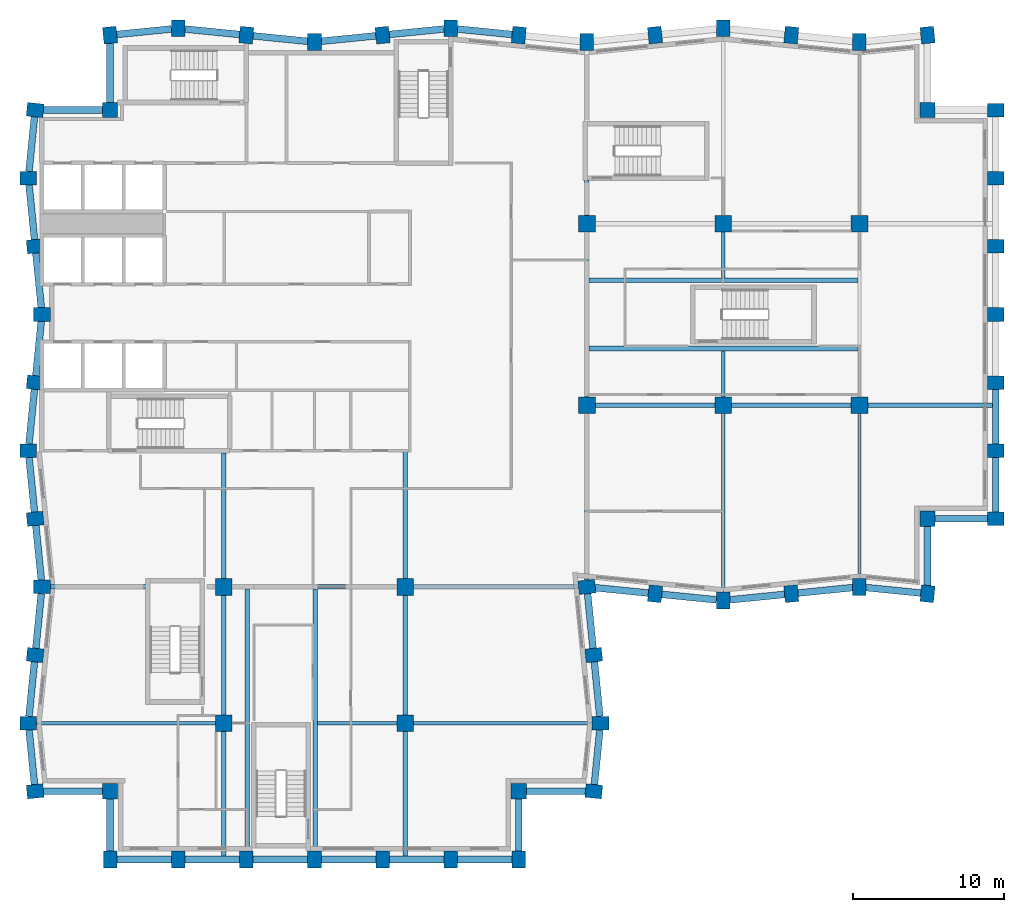
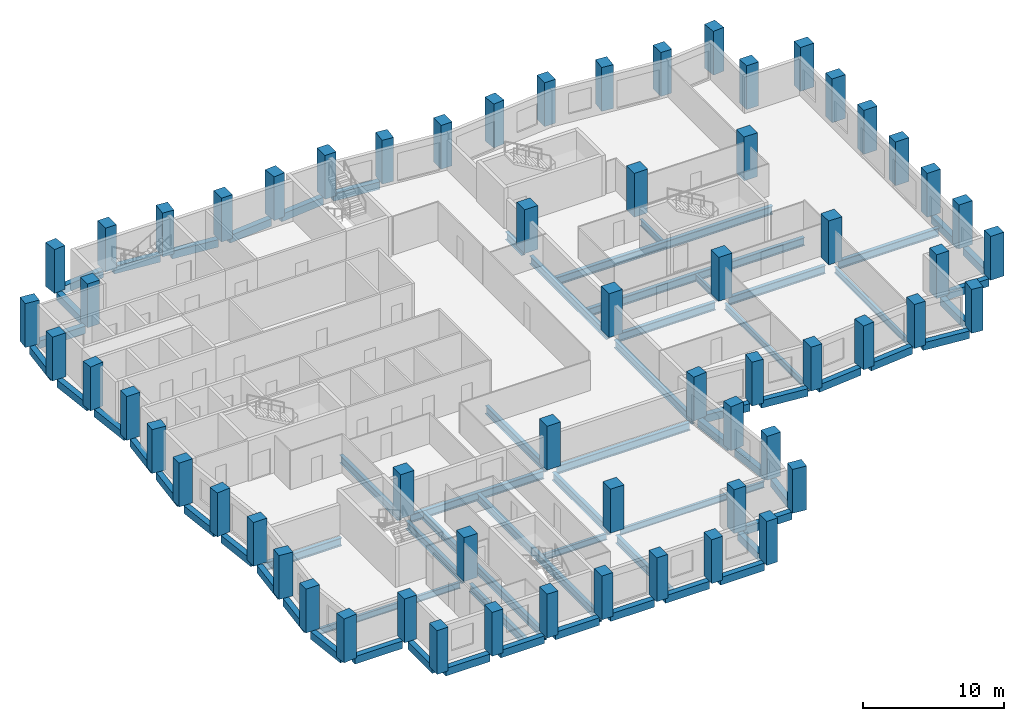
# One storey, part 1 of 10: 66 beams, 62 columns.
"""IFC4 building model written with IfcOpenShell, lengths in metres."""

from ifc_helpers import new_model, si_unit, direction, frame, origin, origin_2d, place, context, subcontext, project, spatial, rectangle, i_section, extrude, material, material_profile, profile_set, type_object, element, save


model = new_model("IFC4")

# Units and contexts
model_context = context("Model", 3, precision=1e-05, world=origin(), true_north=direction((0.0, 1.0)))
body_context = subcontext(model_context, "Body", "Model", "MODEL_VIEW")
ifc_project = project(units=[si_unit("LENGTHUNIT", "METRE"), si_unit("AREAUNIT", "SQUARE_METRE"), si_unit("VOLUMEUNIT", "CUBIC_METRE"), si_unit("PLANEANGLEUNIT", "RADIAN"), si_unit("MASSUNIT", "GRAM", prefix="KILO")], contexts=[model_context])

# Site, building, storey
site_placement = place(None, origin())
site = spatial("IfcSite", under=ifc_project, at=site_placement, CompositionType="ELEMENT")
building_placement = place(site_placement, origin())
building = spatial("IfcBuilding", under=site, at=building_placement, Name="Brondeck Convention Tower", CompositionType="ELEMENT")
storey_placement = place(building_placement, frame((0.0, 0.0, 185.199951171875)))
storey = spatial("IfcBuildingStorey", under=building, at=storey_placement, Name="L45", CompositionType="ELEMENT", Elevation=185.199951171875)

# Columns
ifc_material_1 = material(Name="Concrete C70/85", Category="concrete")
ifc_material_profile_1 = material_profile(ifc_material_1, rectangle(XDim=1.0, YDim=1.0, at=origin_2d()), Name="Corner column 1000x1000 Concrete C70/85")
ifc_profile_set_1 = profile_set([ifc_material_profile_1], Name="Concrete C70/85")
column_type_1 = type_object("IfcColumnType", Name="Corner column 1000x1000 Concrete C70/85", PredefinedType="COLUMN", material=ifc_profile_set_1)
for number, where, z_axis, x_axis, name in (
    (1, (4.5, 13.5, 0.0), (0.0, 0.0, 1.0), (1.0, 0.0, 0.0), "STR-COL-L45-NC-SWB9"),
    (2, (31.5, 13.5, 0.0), (0.0, 0.0, 1.0), (1.0, 0.0, 0.0), "STR-COL-L45-NC-SEB9"),
    (3, (58.5, 31.5, 0.0), (0.0, 0.0, 1.0), (1.0, 0.0, 0.0), "STR-COL-L45-NC-SEA63"),
    (4, (58.5, 58.5, 0.0), (0.0, 0.0, 1.0), (1.0, 0.0, 0.0), "STR-COL-L45-NC-NEA63"),
    (5, (4.5, 58.5, 0.0), (0.0, 0.0, 1.0), (1.0, 0.0, 0.0), "STR-COL-L45-NC-NW"),
):
    element("IfcColumn", number, at=place(storey_placement, frame(where, z_axis=z_axis, x_axis=x_axis)), inside=storey, type_object=column_type_1, Name=name, PredefinedType="COLUMN", context=body_context, shape_type="SweptSolid", body=[
        extrude(rectangle(XDim=1.0, YDim=1.0, at=origin_2d()), origin(), (0.0, 0.0, 1.0), 3.800048828125),
    ])
ifc_material_profile_2 = material_profile(ifc_material_1, rectangle(XDim=1.10009765625, YDim=1.10009765625, at=origin_2d()), Name="Interior column 1100x1100 Concrete C70/85")
ifc_profile_set_2 = profile_set([ifc_material_profile_2], Name="Concrete C70/85")
column_type_2 = type_object("IfcColumnType", Name="Interior column 1100x1100 Concrete C70/85", PredefinedType="COLUMN", material=ifc_profile_set_2)
for number, where, z_axis, x_axis, name in (
    (6, (12.0, 18.0, 0.0), (0.0, 0.0, 1.0), (1.0, 0.0, 0.0), "STR-COL-L45-IC-02"),
    (7, (12.0, 27.0, 0.0), (0.0, 0.0, 1.0), (1.0, 0.0, 0.0), "STR-COL-L45-IC-03"),
    (8, (24.0, 18.0, 0.0), (0.0, 0.0, 1.0), (1.0, 0.0, 0.0), "STR-COL-L45-IC-05"),
    (9, (24.0, 27.0, 0.0), (0.0, 0.0, 1.0), (1.0, 0.0, 0.0), "STR-COL-L45-IC-06"),
    (10, (36.0, 39.0, 0.0), (0.0, 0.0, 1.0), (1.0, 0.0, 0.0), "STR-COL-L45-IC-07"),
    (11, (36.0, 51.0, 0.0), (0.0, 0.0, 1.0), (1.0, 0.0, 0.0), "STR-COL-L45-IC-08"),
    (12, (45.0, 39.0, 0.0), (0.0, 0.0, 1.0), (1.0, 0.0, 0.0), "STR-COL-L45-IC-09"),
    (13, (45.0, 51.0, 0.0), (0.0, 0.0, 1.0), (1.0, 0.0, 0.0), "STR-COL-L45-IC-10"),
    (14, (54.0, 39.0, 0.0), (0.0, 0.0, 1.0), (1.0, 0.0, 0.0), "STR-COL-L45-IC-11"),
    (15, (54.0, 51.0, 0.0), (0.0, 0.0, 1.0), (1.0, 0.0, 0.0), "STR-COL-L45-IC-12"),
):
    element("IfcColumn", number, at=place(storey_placement, frame(where, z_axis=z_axis, x_axis=x_axis)), inside=storey, type_object=column_type_2, Name=name, PredefinedType="COLUMN", context=body_context, shape_type="SweptSolid", body=[
        extrude(rectangle(XDim=1.10009765625, YDim=1.10009765625, at=origin_2d()), origin(), (0.0, 0.0, 1.0), 3.800048828125),
    ])
ifc_material_profile_3 = material_profile(ifc_material_1, rectangle(XDim=0.89990234375, YDim=1.10009765625, at=origin_2d()), Name="Perimeter pier 900x1100 Concrete C70/85")
ifc_profile_set_3 = profile_set([ifc_material_profile_3], Name="Concrete C70/85")
column_type_3 = type_object("IfcColumnType", Name="Perimeter pier 900x1100 Concrete C70/85", PredefinedType="COLUMN", material=ifc_profile_set_3)
for number, where, z_axis, x_axis, name in (
    (16, (4.5, 9.0, 0.0), (0.0, 0.0, 1.0), (1.0, 0.0, 0.0), "STR-COL-L45-PC-B-S9-01"),
    (17, (9.0, 9.0, 0.0), (0.0, 0.0, 1.0), (1.0, 0.0, 0.0), "STR-COL-L45-PC-B-S9-02"),
    (18, (13.5, 9.0, 0.0), (0.0, 0.0, 1.0), (1.0, 0.0, 0.0), "STR-COL-L45-PC-B-S9-03"),
    (19, (18.0, 9.0, 0.0), (0.0, 0.0, 1.0), (1.0, 0.0, 0.0), "STR-COL-L45-PC-B-S9-04"),
    (20, (22.5, 9.0, 0.0), (0.0, 0.0, 1.0), (1.0, 0.0, 0.0), "STR-COL-L45-PC-B-S9-05"),
    (21, (27.0, 9.0, 0.0), (0.0, 0.0, 1.0), (1.0, 0.0, 0.0), "STR-COL-L45-PC-B-S9-06"),
    (22, (31.5, 9.0, 0.0), (0.0, 0.0, 1.0), (1.0, 0.0, 0.0), "STR-COL-L45-PC-B-S9-07"),
    (23, (36.449951171875, 13.5, 0.0), (0.0, 0.0, 1.0), (0.0995038382, 0.995037178292, 0.0), "STR-COL-L45-PC-B-E-03"),
    (24, (36.89990234375, 18.0, 0.0), (0.0, 0.0, 1.0), (0.0, 1.0, 0.0), "STR-COL-L45-PC-B-E-02"),
    (25, (36.449951171875, 22.5, 0.0), (0.0, 0.0, 1.0), (-0.0995038382, 0.995037178292, 0.0), "STR-COL-L45-PC-B-E-01"),
    (26, (36.0, 27.0, 0.0), (0.0, 0.0, 1.0), (-0.0995038382, 0.995037178292, 0.0), "STR-COL-L45-PC-B-E-00"),
    (27, (40.5, 26.550048828125, 0.0), (0.0, 0.0, 1.0), (0.995037178292, -0.0995038382, 0.0), "STR-COL-L45-PC-A-S-01"),
    (28, (45.0, 26.10009765625, 0.0), (0.0, 0.0, 1.0), (1.0, 0.0, 0.0), "STR-COL-L45-PC-A-S-02"),
    (29, (49.5, 26.550048828125, 0.0), (0.0, 0.0, 1.0), (0.995037178292, 0.0995038382, 0.0), "STR-COL-L45-PC-A-S-03"),
    (30, (54.0, 27.0, 0.0), (0.0, 0.0, 1.0), (1.0, 0.0, 0.0), "STR-COL-L45-PC-A-S-04"),
    (31, (58.5, 26.550048828125, 0.0), (0.0, 0.0, 1.0), (0.995037178292, -0.0995038382, 0.0), "STR-COL-L45-PC-A-S-05"),
    (32, (63.0, 31.5, 0.0), (0.0, 0.0, 1.0), (0.0, 1.0, 0.0), "STR-COL-L45-PC-A-E63-01"),
    (33, (63.0, 36.0, 0.0), (0.0, 0.0, 1.0), (0.0, 1.0, 0.0), "STR-COL-L45-PC-A-E63-02"),
    (34, (63.0, 40.5, 0.0), (0.0, 0.0, 1.0), (0.0, 1.0, 0.0), "STR-COL-L45-PC-A-E63-03"),
    (35, (63.0, 45.0, 0.0), (0.0, 0.0, 1.0), (0.0, 1.0, 0.0), "STR-COL-L45-PC-A-E63-04"),
    (36, (63.0, 49.5, 0.0), (0.0, 0.0, 1.0), (0.0, 1.0, 0.0), "STR-COL-L45-PC-A-E63-05"),
    (37, (63.0, 54.0, 0.0), (0.0, 0.0, 1.0), (0.0, 1.0, 0.0), "STR-COL-L45-PC-A-E63-06"),
    (38, (63.0, 58.5, 0.0), (0.0, 0.0, 1.0), (0.0, 1.0, 0.0), "STR-COL-L45-PC-A-E63-07"),
    (39, (58.5, 63.449951171875, 0.0), (0.0, 0.0, 1.0), (-0.995037178292, -0.0995038382, 0.0), "STR-COL-L45-PC-A-N-13"),
    (40, (54.0, 63.0, 0.0), (0.0, 0.0, 1.0), (-1.0, 0.0, 0.0), "STR-COL-L45-PC-A-N-12"),
    (41, (49.5, 63.449951171875, 0.0), (0.0, 0.0, 1.0), (-0.995037178292, 0.0995038382, 0.0), "STR-COL-L45-PC-A-N-11"),
    (42, (45.0, 63.89990234375, 0.0), (0.0, 0.0, 1.0), (-1.0, 0.0, 0.0), "STR-COL-L45-PC-A-N-10"),
    (43, (40.5, 63.449951171875, 0.0), (0.0, 0.0, 1.0), (-0.995037178292, -0.0995038382, 0.0), "STR-COL-L45-PC-A-N-09"),
    (44, (36.0, 63.0, 0.0), (0.0, 0.0, 1.0), (-1.0, 0.0, 0.0), "STR-COL-L45-PC-A-N-08"),
    (45, (31.5, 63.449951171875, 0.0), (0.0, 0.0, 1.0), (-0.995037178292, 0.0995038382, 0.0), "STR-COL-L45-PC-A-N-07"),
    (46, (27.0, 63.89990234375, 0.0), (0.0, 0.0, 1.0), (-1.0, 0.0, 0.0), "STR-COL-L45-PC-A-N-06"),
    (47, (22.5, 63.449951171875, 0.0), (0.0, 0.0, 1.0), (-0.995037178292, -0.0995038382, 0.0), "STR-COL-L45-PC-A-N-05"),
    (48, (18.0, 63.0, 0.0), (0.0, 0.0, 1.0), (-1.0, 0.0, 0.0), "STR-COL-L45-PC-A-N-04"),
    (49, (13.5, 63.449951171875, 0.0), (0.0, 0.0, 1.0), (-0.995037178292, 0.0995038382, 0.0), "STR-COL-L45-PC-A-N-03"),
    (50, (9.0, 63.89990234375, 0.0), (0.0, 0.0, 1.0), (-1.0, 0.0, 0.0), "STR-COL-L45-PC-A-N-02"),
    (51, (4.5, 63.449951171875, 0.0), (0.0, 0.0, 1.0), (-0.995037178292, -0.0995038382, 0.0), "STR-COL-L45-PC-A-N-01"),
    (52, (-0.449951171875, 58.5, 0.0), (0.0, 0.0, 1.0), (-0.0995038382, -0.995037178292, 0.0), "STR-COL-L45-PC-B-W-01"),
    (53, (-0.89990234375, 54.0, 0.0), (0.0, 0.0, 1.0), (0.0, -1.0, 0.0), "STR-COL-L45-PC-B-W-02"),
    (54, (-0.449951171875, 49.5, 0.0), (0.0, 0.0, 1.0), (0.0995038382, -0.995037178292, 0.0), "STR-COL-L45-PC-B-W-03"),
    (55, (0.0, 45.0, 0.0), (0.0, 0.0, 1.0), (0.0, -1.0, 0.0), "STR-COL-L45-PC-B-W-04"),
    (56, (-0.449951171875, 40.5, 0.0), (0.0, 0.0, 1.0), (-0.0995038382, -0.995037178292, 0.0), "STR-COL-L45-PC-B-W-05"),
    (57, (-0.89990234375, 36.0, 0.0), (0.0, 0.0, 1.0), (0.0, -1.0, 0.0), "STR-COL-L45-PC-B-W-06"),
    (58, (-0.449951171875, 31.5, 0.0), (0.0, 0.0, 1.0), (0.0995038382, -0.995037178292, 0.0), "STR-COL-L45-PC-B-W-07"),
    (59, (0.0, 27.0, 0.0), (0.0, 0.0, 1.0), (0.0, -1.0, 0.0), "STR-COL-L45-PC-B-W-08"),
    (60, (-0.449951171875, 22.5, 0.0), (0.0, 0.0, 1.0), (-0.0995038382, -0.995037178292, 0.0), "STR-COL-L45-PC-B-W-09"),
    (61, (-0.89990234375, 18.0, 0.0), (0.0, 0.0, 1.0), (0.0, -1.0, 0.0), "STR-COL-L45-PC-B-W-10"),
    (62, (-0.449951171875, 13.5, 0.0), (0.0, 0.0, 1.0), (0.0995038382, -0.995037178292, 0.0), "STR-COL-L45-PC-B-W-11"),
):
    element("IfcColumn", number, at=place(storey_placement, frame(where, z_axis=z_axis, x_axis=x_axis)), inside=storey, type_object=column_type_3, Name=name, PredefinedType="COLUMN", context=body_context, shape_type="SweptSolid", body=[
        extrude(rectangle(XDim=0.89990234375, YDim=1.10009765625, at=origin_2d()), origin(), (0.0, 0.0, 1.0), 3.800048828125),
    ])

# Beams
ifc_material_2 = material(Name="Steel S355", Category="steel")
ifc_material_profile_4 = material_profile(ifc_material_2, i_section(OverallWidth=0.2099609375, OverallDepth=0.550048828125, WebThickness=0.010986328125, FlangeThickness=0.01708984375, FilletRadius=0.02392578125, at=origin_2d()), Name="IPE 550")
ifc_profile_set_4 = profile_set([ifc_material_profile_4], Name="Steel S355")
beam_type_1 = type_object("IfcBeamType", Name="Floor beam IPE 550", PredefinedType="BEAM", material=ifc_profile_set_4)
beam_1_placement = place(storey_placement, frame((45.0, 26.64990234375, -0.574951171875), z_axis=(0.0, 1.0, 0.0), x_axis=(-1.0, 0.0, 0.0)))
element("IfcBeam", 63, at=beam_1_placement, inside=storey, type_object=beam_type_1, Name="STR-FB-L45-001", PredefinedType="BEAM", context=body_context, shape_type="SweptSolid", body=[
    extrude(i_section(OverallWidth=0.2099609375, OverallDepth=0.550048828125, WebThickness=0.010986328125, FlangeThickness=0.01708984375, FilletRadius=0.02392578125, at=origin_2d()), origin(), (0.0, 0.0, 1.0), 11.800048828125),
])
beam_2_placement = place(storey_placement, frame((54.0, 27.550048828125, -0.574951171875), z_axis=(0.0, 1.0, 0.0), x_axis=(-1.0, 0.0, 0.0)))
element("IfcBeam", 64, at=beam_2_placement, inside=storey, type_object=beam_type_1, Name="STR-FB-L45-003", PredefinedType="BEAM", context=body_context, shape_type="SweptSolid", body=[
    extrude(i_section(OverallWidth=0.2099609375, OverallDepth=0.550048828125, WebThickness=0.010986328125, FlangeThickness=0.01708984375, FilletRadius=0.02392578125, at=origin_2d()), origin(), (0.0, 0.0, 1.0), 10.89990234375),
])
for number, where, z_axis, x_axis, name in (
    (65, (-0.35009765625, 18.0, -0.574951171875), (1.0, 0.0, 0.0), (0.0, 1.0, 0.0), "STR-FB-L45-006"),
    (66, (24.550048828125, 18.0, -0.574951171875), (1.0, 0.0, 0.0), (0.0, 1.0, 0.0), "STR-FB-L45-007"),
):
    element("IfcBeam", number, at=place(storey_placement, frame(where, z_axis=z_axis, x_axis=x_axis)), inside=storey, type_object=beam_type_1, Name=name, PredefinedType="BEAM", context=body_context, shape_type="SweptSolid", body=[
        extrude(i_section(OverallWidth=0.2099609375, OverallDepth=0.550048828125, WebThickness=0.010986328125, FlangeThickness=0.01708984375, FilletRadius=0.02392578125, at=origin_2d()), origin(), (0.0, 0.0, 1.0), 11.800048828125),
    ])
for number, where, z_axis, x_axis, name in (
    (67, (45.0, 39.550048828125, -0.574951171875), (0.0, 1.0, 0.0), (-1.0, 0.0, 0.0), "STR-FB-L45-008"),
    (68, (45.0, 47.39990234375, -0.574951171875), (0.0, 1.0, 0.0), (-1.0, 0.0, 0.0), "STR-FB-L45-009"),
):
    element("IfcBeam", number, at=place(storey_placement, frame(where, z_axis=z_axis, x_axis=x_axis)), inside=storey, type_object=beam_type_1, Name=name, PredefinedType="BEAM", context=body_context, shape_type="SweptSolid", body=[
        extrude(i_section(OverallWidth=0.2099609375, OverallDepth=0.550048828125, WebThickness=0.010986328125, FlangeThickness=0.01708984375, FilletRadius=0.02392578125, at=origin_2d()), origin(), (0.0, 0.0, 1.0), 3.050048828125),
    ])
beam_3_placement = place(storey_placement, frame((18.199951171875, 18.0, -0.574951171875), z_axis=(1.0, 0.0, 0.0), x_axis=(0.0, 1.0, 0.0)))
element("IfcBeam", 69, at=beam_3_placement, inside=storey, type_object=beam_type_1, Name="STR-FB-L45-010", PredefinedType="BEAM", context=body_context, shape_type="SweptSolid", body=[
    extrude(i_section(OverallWidth=0.2099609375, OverallDepth=0.550048828125, WebThickness=0.010986328125, FlangeThickness=0.01708984375, FilletRadius=0.02392578125, at=origin_2d()), origin(), (0.0, 0.0, 1.0), 5.25),
])
ifc_material_profile_5 = material_profile(ifc_material_2, i_section(OverallWidth=0.300048828125, OverallDepth=0.699951171875, WebThickness=0.01708984375, FlangeThickness=0.031982421875, FilletRadius=0.027099609375, at=origin_2d()), Name="HEB 700")
ifc_profile_set_5 = profile_set([ifc_material_profile_5], Name="Steel S355")
beam_type_2 = type_object("IfcBeamType", Name="Girder HEB 700", PredefinedType="BEAM", material=ifc_profile_set_5)
for number, where, z_axis, x_axis, name in (
    (70, (36.550048828125, 39.0, -0.64990234375), (1.0, 0.0, 0.0), (0.0, 1.0, 0.0), "STR-GR-L45-001"),
    (71, (45.550048828125, 39.0, -0.64990234375), (1.0, 0.0, 0.0), (0.0, 1.0, 0.0), "STR-GR-L45-002"),
):
    element("IfcBeam", number, at=place(storey_placement, frame(where, z_axis=z_axis, x_axis=x_axis)), inside=storey, type_object=beam_type_2, Name=name, PredefinedType="BEAM", context=body_context, shape_type="SweptSolid", body=[
        extrude(i_section(OverallWidth=0.300048828125, OverallDepth=0.699951171875, WebThickness=0.01708984375, FlangeThickness=0.031982421875, FilletRadius=0.027099609375, at=origin_2d()), origin(), (0.0, 0.0, 1.0), 7.89990234375),
    ])
beam_4_placement = place(storey_placement, frame((54.550048828125, 39.0, -0.64990234375), z_axis=(1.0, 0.0, 0.0), x_axis=(0.0, 1.0, 0.0)))
element("IfcBeam", 72, at=beam_4_placement, inside=storey, type_object=beam_type_2, Name="STR-GR-L45-003", PredefinedType="BEAM", context=body_context, shape_type="SweptSolid", body=[
    extrude(i_section(OverallWidth=0.300048828125, OverallDepth=0.699951171875, WebThickness=0.01708984375, FlangeThickness=0.031982421875, FilletRadius=0.027099609375, at=origin_2d()), origin(), (0.0, 0.0, 1.0), 8.224853515625),
])
beam_5_placement = place(storey_placement, frame((36.0, 27.4521484375, -0.64990234375), z_axis=(0.0, 1.0, 0.0), x_axis=(-1.0, 0.0, 0.0)))
element("IfcBeam", 73, at=beam_5_placement, inside=storey, type_object=beam_type_2, Name="STR-GR-L45-007", PredefinedType="BEAM", context=body_context, shape_type="SweptSolid", body=[
    extrude(i_section(OverallWidth=0.300048828125, OverallDepth=0.699951171875, WebThickness=0.01708984375, FlangeThickness=0.031982421875, FilletRadius=0.027099609375, at=origin_2d()), origin(), (0.0, 0.0, 1.0), 10.997802734375),
])
beam_6_placement = place(storey_placement, frame((36.0, 39.550048828125, -0.64990234375), z_axis=(0.0, 1.0, 0.0), x_axis=(-1.0, 0.0, 0.0)))
element("IfcBeam", 74, at=beam_6_placement, inside=storey, type_object=beam_type_2, Name="STR-GR-L45-008", PredefinedType="BEAM", context=body_context, shape_type="SweptSolid", body=[
    extrude(i_section(OverallWidth=0.300048828125, OverallDepth=0.699951171875, WebThickness=0.01708984375, FlangeThickness=0.031982421875, FilletRadius=0.027099609375, at=origin_2d()), origin(), (0.0, 0.0, 1.0), 10.89990234375),
])
beam_7_placement = place(storey_placement, frame((36.0, 51.550048828125, -0.64990234375), z_axis=(0.0, 1.0, 0.0), x_axis=(-1.0, 0.0, 0.0)))
element("IfcBeam", 75, at=beam_7_placement, inside=storey, type_object=beam_type_2, Name="STR-GR-L45-009", PredefinedType="BEAM", context=body_context, shape_type="SweptSolid", body=[
    extrude(i_section(OverallWidth=0.300048828125, OverallDepth=0.699951171875, WebThickness=0.01708984375, FlangeThickness=0.031982421875, FilletRadius=0.027099609375, at=origin_2d()), origin(), (0.0, 0.0, 1.0), 2.329833984375),
])
beam_8_placement = place(storey_placement, frame((12.0, 35.85009765625, -0.64990234375), z_axis=(0.0, -1.0, 0.0), x_axis=(1.0, 0.0, 0.0)))
element("IfcBeam", 76, at=beam_8_placement, inside=storey, type_object=beam_type_2, Name="STR-GR-L45-011", PredefinedType="BEAM", context=body_context, shape_type="SweptSolid", body=[
    extrude(i_section(OverallWidth=0.300048828125, OverallDepth=0.699951171875, WebThickness=0.01708984375, FlangeThickness=0.031982421875, FilletRadius=0.027099609375, at=origin_2d()), origin(), (0.0, 0.0, 1.0), 8.300048828125),
])
beam_9_placement = place(storey_placement, frame((12.0, 26.449951171875, -0.64990234375), z_axis=(0.0, -1.0, 0.0), x_axis=(1.0, 0.0, 0.0)))
element("IfcBeam", 77, at=beam_9_placement, inside=storey, type_object=beam_type_2, Name="STR-GR-L45-012", PredefinedType="BEAM", context=body_context, shape_type="SweptSolid", body=[
    extrude(i_section(OverallWidth=0.300048828125, OverallDepth=0.699951171875, WebThickness=0.01708984375, FlangeThickness=0.031982421875, FilletRadius=0.027099609375, at=origin_2d()), origin(), (0.0, 0.0, 1.0), 7.89990234375),
])
beam_10_placement = place(storey_placement, frame((12.0, 17.449951171875, -0.64990234375), z_axis=(0.0, -1.0, 0.0), x_axis=(1.0, 0.0, 0.0)))
element("IfcBeam", 78, at=beam_10_placement, inside=storey, type_object=beam_type_2, Name="STR-GR-L45-013", PredefinedType="BEAM", context=body_context, shape_type="SweptSolid", body=[
    extrude(i_section(OverallWidth=0.300048828125, OverallDepth=0.699951171875, WebThickness=0.01708984375, FlangeThickness=0.031982421875, FilletRadius=0.027099609375, at=origin_2d()), origin(), (0.0, 0.0, 1.0), 8.224853515625),
])
beam_11_placement = place(storey_placement, frame((24.0, 35.955078125, -0.64990234375), z_axis=(0.0, -1.0, 0.0), x_axis=(1.0, 0.0, 0.0)))
element("IfcBeam", 79, at=beam_11_placement, inside=storey, type_object=beam_type_2, Name="STR-GR-L45-014", PredefinedType="BEAM", context=body_context, shape_type="SweptSolid", body=[
    extrude(i_section(OverallWidth=0.300048828125, OverallDepth=0.699951171875, WebThickness=0.01708984375, FlangeThickness=0.031982421875, FilletRadius=0.027099609375, at=origin_2d()), origin(), (0.0, 0.0, 1.0), 8.405029296875),
])
beam_12_placement = place(storey_placement, frame((24.0, 26.449951171875, -0.64990234375), z_axis=(0.0, -1.0, 0.0), x_axis=(1.0, 0.0, 0.0)))
element("IfcBeam", 80, at=beam_12_placement, inside=storey, type_object=beam_type_2, Name="STR-GR-L45-015", PredefinedType="BEAM", context=body_context, shape_type="SweptSolid", body=[
    extrude(i_section(OverallWidth=0.300048828125, OverallDepth=0.699951171875, WebThickness=0.01708984375, FlangeThickness=0.031982421875, FilletRadius=0.027099609375, at=origin_2d()), origin(), (0.0, 0.0, 1.0), 7.89990234375),
])
beam_13_placement = place(storey_placement, frame((24.0, 17.449951171875, -0.64990234375), z_axis=(0.0, -1.0, 0.0), x_axis=(1.0, 0.0, 0.0)))
element("IfcBeam", 81, at=beam_13_placement, inside=storey, type_object=beam_type_2, Name="STR-GR-L45-016", PredefinedType="BEAM", context=body_context, shape_type="SweptSolid", body=[
    extrude(i_section(OverallWidth=0.300048828125, OverallDepth=0.699951171875, WebThickness=0.01708984375, FlangeThickness=0.031982421875, FilletRadius=0.027099609375, at=origin_2d()), origin(), (0.0, 0.0, 1.0), 8.224853515625),
])
beam_14_placement = place(storey_placement, frame((0.550048828125, 27.0, -0.64990234375), z_axis=(1.0, 0.0, 0.0), x_axis=(0.0, 1.0, 0.0)))
element("IfcBeam", 82, at=beam_14_placement, inside=storey, type_object=beam_type_2, Name="STR-GR-L45-017", PredefinedType="BEAM", context=body_context, shape_type="SweptSolid", body=[
    extrude(i_section(OverallWidth=0.300048828125, OverallDepth=0.699951171875, WebThickness=0.01708984375, FlangeThickness=0.031982421875, FilletRadius=0.027099609375, at=origin_2d()), origin(), (0.0, 0.0, 1.0), 6.329833984375),
])
beam_15_placement = place(storey_placement, frame((12.550048828125, 27.0, -0.64990234375), z_axis=(1.0, 0.0, 0.0), x_axis=(0.0, 1.0, 0.0)))
element("IfcBeam", 83, at=beam_15_placement, inside=storey, type_object=beam_type_2, Name="STR-GR-L45-018", PredefinedType="BEAM", context=body_context, shape_type="SweptSolid", body=[
    extrude(i_section(OverallWidth=0.300048828125, OverallDepth=0.699951171875, WebThickness=0.01708984375, FlangeThickness=0.031982421875, FilletRadius=0.027099609375, at=origin_2d()), origin(), (0.0, 0.0, 1.0), 10.89990234375),
])
beam_16_placement = place(storey_placement, frame((24.550048828125, 27.0, -0.64990234375), z_axis=(1.0, 0.0, 0.0), x_axis=(0.0, 1.0, 0.0)))
element("IfcBeam", 84, at=beam_16_placement, inside=storey, type_object=beam_type_2, Name="STR-GR-L45-019", PredefinedType="BEAM", context=body_context, shape_type="SweptSolid", body=[
    extrude(i_section(OverallWidth=0.300048828125, OverallDepth=0.699951171875, WebThickness=0.01708984375, FlangeThickness=0.031982421875, FilletRadius=0.027099609375, at=origin_2d()), origin(), (0.0, 0.0, 1.0), 10.897216796875),
])
for number, where, z_axis, x_axis, name in (
    (85, (36.14990234375, 42.75, -0.64990234375), (1.0, 0.0, 0.0), (0.0, 1.0, 0.0), "STR-GR-L45-020"),
    (86, (36.14990234375, 47.25, -0.64990234375), (1.0, 0.0, 0.0), (0.0, 1.0, 0.0), "STR-GR-L45-021"),
):
    element("IfcBeam", number, at=place(storey_placement, frame(where, z_axis=z_axis, x_axis=x_axis)), inside=storey, type_object=beam_type_2, Name=name, PredefinedType="BEAM", context=body_context, shape_type="SweptSolid", body=[
        extrude(i_section(OverallWidth=0.300048828125, OverallDepth=0.699951171875, WebThickness=0.01708984375, FlangeThickness=0.031982421875, FilletRadius=0.027099609375, at=origin_2d()), origin(), (0.0, 0.0, 1.0), 17.7451171875),
    ])
for number, where, z_axis, x_axis, name in (
    (87, (13.550048828125, 9.550048828125, -0.64990234375), (0.0, 1.0, 0.0), (-1.0, 0.0, 0.0), "STR-GR-L45-022"),
    (88, (18.050048828125, 9.550048828125, -0.64990234375), (0.0, 1.0, 0.0), (-1.0, 0.0, 0.0), "STR-GR-L45-023"),
):
    element("IfcBeam", number, at=place(storey_placement, frame(where, z_axis=z_axis, x_axis=x_axis)), inside=storey, type_object=beam_type_2, Name=name, PredefinedType="BEAM", context=body_context, shape_type="SweptSolid", body=[
        extrude(i_section(OverallWidth=0.300048828125, OverallDepth=0.699951171875, WebThickness=0.01708984375, FlangeThickness=0.031982421875, FilletRadius=0.027099609375, at=origin_2d()), origin(), (0.0, 0.0, 1.0), 17.300048828125),
    ])
ifc_material_profile_6 = material_profile(ifc_material_1, rectangle(XDim=0.449951171875, YDim=0.64990234375, at=origin_2d()), Name="Precast spandrel 450x650 Concrete C70/85")
ifc_profile_set_6 = profile_set([ifc_material_profile_6], Name="Concrete C70/85")
beam_type_3 = type_object("IfcBeamType", Name="Precast spandrel 450x650 Concrete C70/85", PredefinedType="SPANDREL", material=ifc_profile_set_6)
for number, where, z_axis, x_axis, name in (
    (89, (4.949951171875, 9.0, -0.324951171875), (1.0, 0.0, 0.0), (0.0, 1.0, 0.0), "STR-SP-L45-001"),
    (90, (9.449951171875, 9.0, -0.324951171875), (1.0, 0.0, 0.0), (0.0, 1.0, 0.0), "STR-SP-L45-002"),
    (91, (13.949951171875, 9.0, -0.324951171875), (1.0, 0.0, 0.0), (0.0, 1.0, 0.0), "STR-SP-L45-003"),
    (92, (18.449951171875, 9.0, -0.324951171875), (1.0, 0.0, 0.0), (0.0, 1.0, 0.0), "STR-SP-L45-004"),
    (93, (22.949951171875, 9.0, -0.324951171875), (1.0, 0.0, 0.0), (0.0, 1.0, 0.0), "STR-SP-L45-005"),
    (94, (27.449951171875, 9.0, -0.324951171875), (1.0, 0.0, 0.0), (0.0, 1.0, 0.0), "STR-SP-L45-006"),
):
    element("IfcBeam", number, at=place(storey_placement, frame(where, z_axis=z_axis, x_axis=x_axis)), inside=storey, type_object=beam_type_3, Name=name, PredefinedType="SPANDREL", context=body_context, shape_type="SweptSolid", body=[
        extrude(rectangle(XDim=0.449951171875, YDim=0.64990234375, at=origin_2d()), origin(), (0.0, 0.0, 1.0), 3.60009765625),
    ])
beam_17_placement = place(storey_placement, frame((31.5, 9.550048828125, -0.324951171875), z_axis=(0.0, 1.0, 0.0), x_axis=(-1.0, 0.0, 0.0)))
element("IfcBeam", 95, at=beam_17_placement, inside=storey, type_object=beam_type_3, Name="STR-SP-L45-007", PredefinedType="SPANDREL", context=body_context, shape_type="SweptSolid", body=[
    extrude(rectangle(XDim=0.449951171875, YDim=0.64990234375, at=origin_2d()), origin(), (0.0, 0.0, 1.0), 3.449951171875),
])
beam_18_placement = place(storey_placement, frame((32.0, 13.5, -0.324951171875), z_axis=(1.0, 0.0, 0.0), x_axis=(0.0, 1.0, 0.0)))
element("IfcBeam", 96, at=beam_18_placement, inside=storey, type_object=beam_type_3, Name="STR-SP-L45-008", PredefinedType="SPANDREL", context=body_context, shape_type="SweptSolid", body=[
    extrude(rectangle(XDim=0.449951171875, YDim=0.64990234375, at=origin_2d()), origin(), (0.0, 0.0, 1.0), 3.897216796875),
])
for number, where, z_axis, x_axis, name in (
    (97, (36.494873046875, 13.94775390625, -0.324951171875), (0.099470334057, 0.995040528141, 0.0), (-0.995040528141, 0.099470334057, 0.0), "STR-SP-L45-009"),
    (98, (36.85498046875, 18.449951171875, -0.324951171875), (-0.099470334057, 0.995040528141, 0.0), (-0.995040528141, -0.099470334057, 0.0), "STR-SP-L45-010"),
):
    element("IfcBeam", number, at=place(storey_placement, frame(where, z_axis=z_axis, x_axis=x_axis)), inside=storey, type_object=beam_type_3, Name=name, PredefinedType="SPANDREL", context=body_context, shape_type="SweptSolid", body=[
        extrude(rectangle(XDim=0.449951171875, YDim=0.64990234375, at=origin_2d()), origin(), (0.0, 0.0, 1.0), 3.620361328125),
    ])
beam_19_placement = place(storey_placement, frame((36.4052734375, 22.94775390625, -0.324951171875), z_axis=(-0.099543756114, 0.995033185687, 0.0), x_axis=(-0.995033185687, -0.099543756114, 0.0)))
element("IfcBeam", 99, at=beam_19_placement, inside=storey, type_object=beam_type_3, Name="STR-SP-L45-011", PredefinedType="SPANDREL", context=body_context, shape_type="SweptSolid", body=[
    extrude(rectangle(XDim=0.449951171875, YDim=0.64990234375, at=origin_2d()), origin(), (0.0, 0.0, 1.0), 3.62255859375),
])
beam_20_placement = place(storey_placement, frame((36.558349609375, 26.944091796875, -0.324951171875), z_axis=(0.995037878598, -0.099496834901, 0.0), x_axis=(0.099496834901, 0.995037878598, 0.0)))
element("IfcBeam", 100, at=beam_20_placement, inside=storey, type_object=beam_type_3, Name="STR-SP-L45-012", PredefinedType="SPANDREL", context=body_context, shape_type="SweptSolid", body=[
    extrude(rectangle(XDim=0.449951171875, YDim=0.64990234375, at=origin_2d()), origin(), (0.0, 0.0, 1.0), 3.51123046875),
])
for number, where, z_axis, x_axis, name in (
    (101, (40.94775390625, 26.505126953125, -0.324951171875), (0.995040528141, -0.099470334057, 0.0), (0.099470334057, 0.995040528141, 0.0), "STR-SP-L45-013"),
    (102, (45.449951171875, 26.14501953125, -0.324951171875), (0.995040528141, 0.099470334057, 0.0), (-0.099470334057, 0.995040528141, 0.0), "STR-SP-L45-014"),
    (103, (49.94775390625, 26.5947265625, -0.324951171875), (0.995033851182, 0.099537103649, 0.0), (-0.099537103649, 0.995033851182, 0.0), "STR-SP-L45-015"),
    (104, (54.449951171875, 26.955078125, -0.324951171875), (0.995033851182, -0.099537103649, 0.0), (0.099537103649, 0.995033851182, 0.0), "STR-SP-L45-016"),
):
    element("IfcBeam", number, at=place(storey_placement, frame(where, z_axis=z_axis, x_axis=x_axis)), inside=storey, type_object=beam_type_3, Name=name, PredefinedType="SPANDREL", context=body_context, shape_type="SweptSolid", body=[
        extrude(rectangle(XDim=0.449951171875, YDim=0.64990234375, at=origin_2d()), origin(), (0.0, 0.0, 1.0), 3.620361328125),
    ])
beam_21_placement = place(storey_placement, frame((58.5, 27.102783203125, -0.324951171875), z_axis=(0.0, 1.0, 0.0), x_axis=(-1.0, 0.0, 0.0)))
element("IfcBeam", 105, at=beam_21_placement, inside=storey, type_object=beam_type_3, Name="STR-SP-L45-017", PredefinedType="SPANDREL", context=body_context, shape_type="SweptSolid", body=[
    extrude(rectangle(XDim=0.449951171875, YDim=0.64990234375, at=origin_2d()), origin(), (0.0, 0.0, 1.0), 3.897216796875),
])
beam_22_placement = place(storey_placement, frame((59.0, 31.5, -0.324951171875), z_axis=(1.0, 0.0, 0.0), x_axis=(0.0, 1.0, 0.0)))
element("IfcBeam", 106, at=beam_22_placement, inside=storey, type_object=beam_type_3, Name="STR-SP-L45-018", PredefinedType="SPANDREL", context=body_context, shape_type="SweptSolid", body=[
    extrude(rectangle(XDim=0.449951171875, YDim=0.64990234375, at=origin_2d()), origin(), (0.0, 0.0, 1.0), 3.449951171875),
])
for number, where, z_axis, x_axis, name in (
    (107, (63.0, 31.949951171875, -0.324951171875), (0.0, 1.0, 0.0), (-1.0, 0.0, 0.0), "STR-SP-L45-019"),
    (108, (63.0, 36.449951171875, -0.324951171875), (0.0, 1.0, 0.0), (-1.0, 0.0, 0.0), "STR-SP-L45-020"),
):
    element("IfcBeam", number, at=place(storey_placement, frame(where, z_axis=z_axis, x_axis=x_axis)), inside=storey, type_object=beam_type_3, Name=name, PredefinedType="SPANDREL", context=body_context, shape_type="SweptSolid", body=[
        extrude(rectangle(XDim=0.449951171875, YDim=0.64990234375, at=origin_2d()), origin(), (0.0, 0.0, 1.0), 3.60009765625),
    ])
for number, where, z_axis, x_axis, name in (
    (109, (31.05224609375, 63.494873046875, -0.324951171875), (-0.995040528141, 0.099470334057, 0.0), (-0.099470334057, -0.995040528141, 0.0), "STR-SP-L45-033"),
    (110, (26.550048828125, 63.85498046875, -0.324951171875), (-0.995040528141, -0.099470334057, 0.0), (0.099470334057, -0.995040528141, 0.0), "STR-SP-L45-034"),
    (111, (22.05224609375, 63.4052734375, -0.324951171875), (-0.995033851182, -0.099537103649, 0.0), (0.099537103649, -0.995033851182, 0.0), "STR-SP-L45-035"),
    (112, (17.550048828125, 63.044921875, -0.324951171875), (-0.995033851182, 0.099537103649, 0.0), (-0.099537103649, -0.995033851182, 0.0), "STR-SP-L45-036"),
    (113, (13.05224609375, 63.494873046875, -0.324951171875), (-0.995040528141, 0.099470334057, 0.0), (-0.099470334057, -0.995040528141, 0.0), "STR-SP-L45-037"),
    (114, (8.550048828125, 63.85498046875, -0.324951171875), (-0.995040528141, -0.099470334057, 0.0), (0.099470334057, -0.995040528141, 0.0), "STR-SP-L45-038"),
):
    element("IfcBeam", number, at=place(storey_placement, frame(where, z_axis=z_axis, x_axis=x_axis)), inside=storey, type_object=beam_type_3, Name=name, PredefinedType="SPANDREL", context=body_context, shape_type="SweptSolid", body=[
        extrude(rectangle(XDim=0.449951171875, YDim=0.64990234375, at=origin_2d()), origin(), (0.0, 0.0, 1.0), 3.620361328125),
    ])
for number, where, z_axis, x_axis, name in (
    (115, (4.5, 62.897216796875, -0.324951171875), (0.0, -1.0, 0.0), (1.0, 0.0, 0.0), "STR-SP-L45-039"),
    (116, (4.0, 58.5, -0.324951171875), (-1.0, 0.0, 0.0), (0.0, -1.0, 0.0), "STR-SP-L45-040"),
):
    element("IfcBeam", number, at=place(storey_placement, frame(where, z_axis=z_axis, x_axis=x_axis)), inside=storey, type_object=beam_type_3, Name=name, PredefinedType="SPANDREL", context=body_context, shape_type="SweptSolid", body=[
        extrude(rectangle(XDim=0.449951171875, YDim=0.64990234375, at=origin_2d()), origin(), (0.0, 0.0, 1.0), 3.897216796875),
    ])
for number, where, z_axis, x_axis, name in (
    (117, (-0.494873046875, 58.05224609375, -0.324951171875), (-0.099470334057, -0.995040528141, 0.0), (0.995040528141, -0.099470334057, 0.0), "STR-SP-L45-041"),
    (118, (-0.85498046875, 53.550048828125, -0.324951171875), (0.099470334057, -0.995040528141, 0.0), (0.995040528141, 0.099470334057, 0.0), "STR-SP-L45-042"),
    (119, (-0.4052734375, 49.05224609375, -0.324951171875), (0.099537103649, -0.995033851182, 0.0), (0.995033851182, 0.099537103649, 0.0), "STR-SP-L45-043"),
    (120, (-0.044921875, 44.550048828125, -0.324951171875), (-0.099537103649, -0.995033851182, 0.0), (0.995033851182, -0.099537103649, 0.0), "STR-SP-L45-044"),
    (121, (-0.494873046875, 40.05224609375, -0.324951171875), (-0.099470334057, -0.995040528141, 0.0), (0.995040528141, -0.099470334057, 0.0), "STR-SP-L45-045"),
    (122, (-0.85498046875, 35.550048828125, -0.324951171875), (0.099470334057, -0.995040528141, 0.0), (0.995040528141, 0.099470334057, 0.0), "STR-SP-L45-046"),
    (123, (-0.4052734375, 31.05224609375, -0.324951171875), (0.099537103649, -0.995033851182, 0.0), (0.995033851182, 0.099537103649, 0.0), "STR-SP-L45-047"),
    (124, (-0.044921875, 26.550048828125, -0.324951171875), (-0.099537103649, -0.995033851182, 0.0), (0.995033851182, -0.099537103649, 0.0), "STR-SP-L45-048"),
    (125, (-0.494873046875, 22.05224609375, -0.324951171875), (-0.099470334057, -0.995040528141, 0.0), (0.995040528141, -0.099470334057, 0.0), "STR-SP-L45-049"),
    (126, (-0.85498046875, 17.550048828125, -0.324951171875), (0.099470334057, -0.995040528141, 0.0), (0.995040528141, 0.099470334057, 0.0), "STR-SP-L45-050"),
):
    element("IfcBeam", number, at=place(storey_placement, frame(where, z_axis=z_axis, x_axis=x_axis)), inside=storey, type_object=beam_type_3, Name=name, PredefinedType="SPANDREL", context=body_context, shape_type="SweptSolid", body=[
        extrude(rectangle(XDim=0.449951171875, YDim=0.64990234375, at=origin_2d()), origin(), (0.0, 0.0, 1.0), 3.620361328125),
    ])
beam_23_placement = place(storey_placement, frame((0.102783203125, 13.5, -0.324951171875), z_axis=(1.0, 0.0, 0.0), x_axis=(0.0, 1.0, 0.0)))
element("IfcBeam", 127, at=beam_23_placement, inside=storey, type_object=beam_type_3, Name="STR-SP-L45-051", PredefinedType="SPANDREL", context=body_context, shape_type="SweptSolid", body=[
    extrude(rectangle(XDim=0.449951171875, YDim=0.64990234375, at=origin_2d()), origin(), (0.0, 0.0, 1.0), 3.897216796875),
])
beam_24_placement = place(storey_placement, frame((4.5, 13.0, -0.324951171875), z_axis=(0.0, -1.0, 0.0), x_axis=(1.0, 0.0, 0.0)))
element("IfcBeam", 128, at=beam_24_placement, inside=storey, type_object=beam_type_3, Name="STR-SP-L45-052", PredefinedType="SPANDREL", context=body_context, shape_type="SweptSolid", body=[
    extrude(rectangle(XDim=0.449951171875, YDim=0.64990234375, at=origin_2d()), origin(), (0.0, 0.0, 1.0), 3.449951171875),
])

save(model, "model.ifc")
